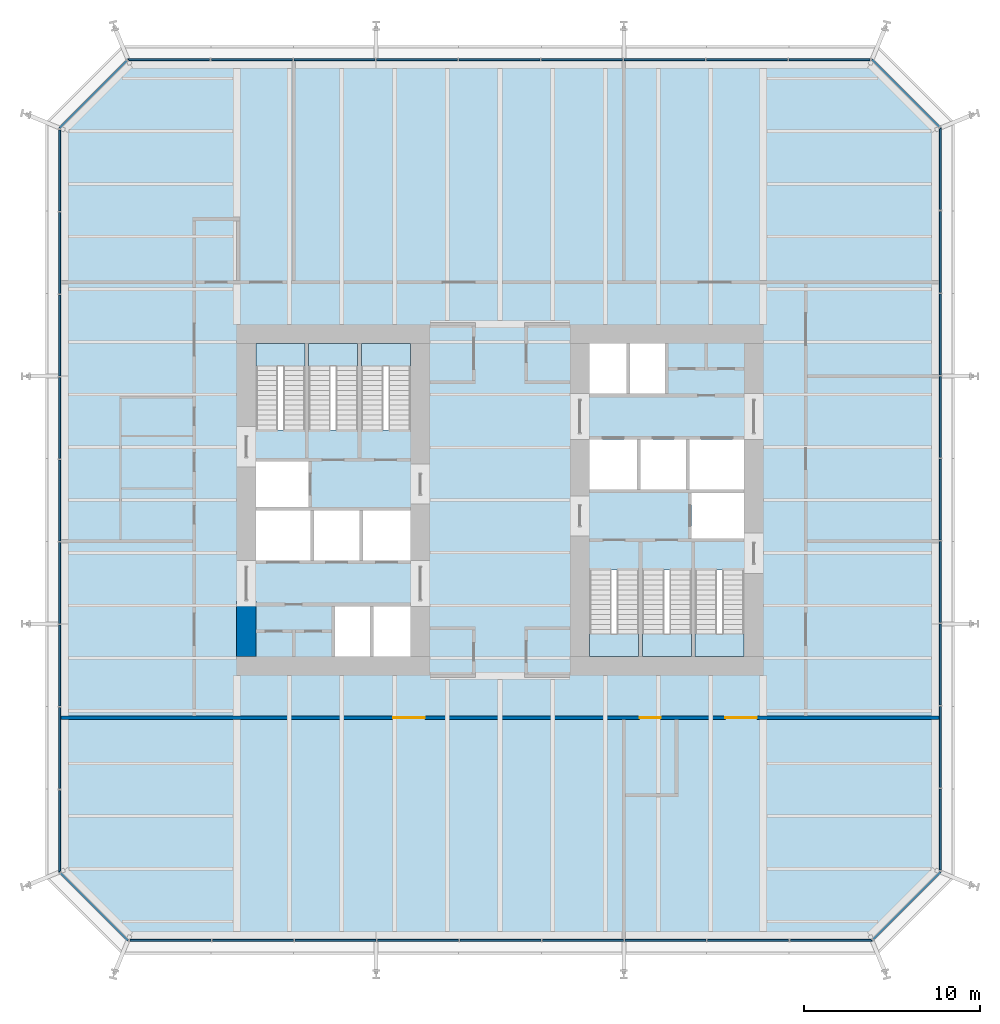
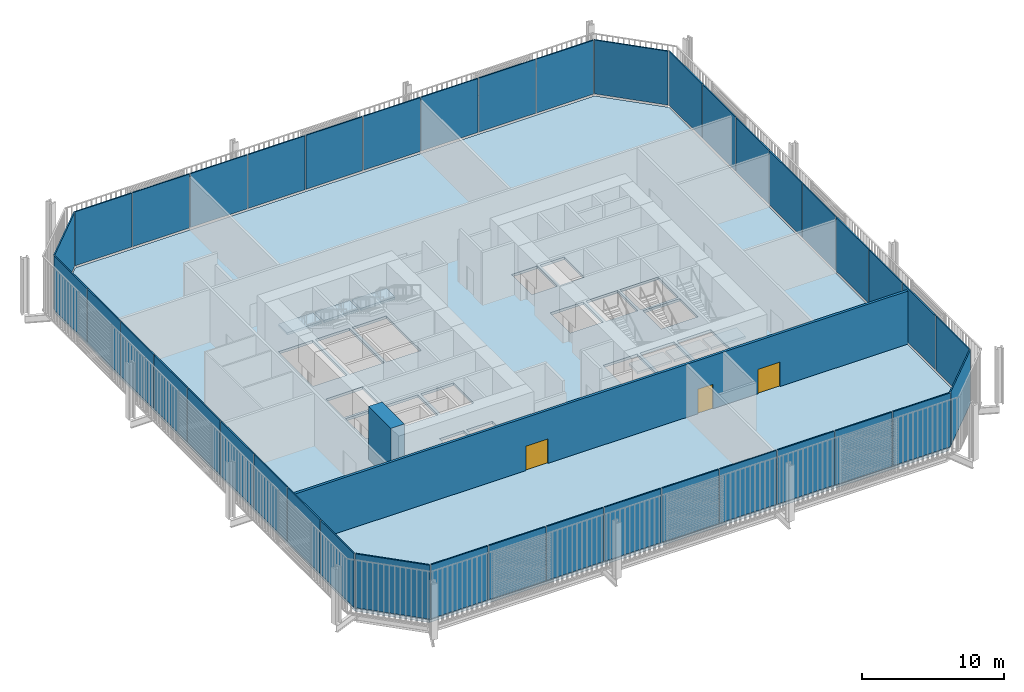
# One storey, part 17 of 22: 40 plates, 7 slabs, 3 doors, 2 walls, 3 openings, 14 elements without a shape of their own.
"""IFC4 building model written with IfcOpenShell, lengths in metres."""

from ifc_helpers import new_model, si_unit, direction, frame, frame_2d, origin, place, context, subcontext, project, spatial, polyline, rectangle, outline, extrude, material, layer, layer_set, type_object, element, fill, aggregate, save


model = new_model("IFC4")

# Units and contexts
model_context = context("Model", 3, precision=1e-05, world=origin(), true_north=direction((0.0, 1.0)))
body_context = subcontext(model_context, "Body", "Model", "MODEL_VIEW")
ifc_project = project(units=[si_unit("LENGTHUNIT", "METRE"), si_unit("AREAUNIT", "SQUARE_METRE"), si_unit("VOLUMEUNIT", "CUBIC_METRE"), si_unit("PLANEANGLEUNIT", "RADIAN"), si_unit("MASSUNIT", "GRAM", prefix="KILO")], contexts=[model_context])

# Site, building, storey
site_placement = place(None, origin())
site = spatial("IfcSite", under=ifc_project, at=site_placement, CompositionType="ELEMENT")
building_placement = place(site_placement, origin())
building = spatial("IfcBuilding", under=site, at=building_placement, Name="Millrace Tower", CompositionType="ELEMENT")
storey_placement = place(building_placement, frame((0.0, 0.0, 49.699951171875)))
storey = spatial("IfcBuildingStorey", under=building, at=storey_placement, Name="L11", CompositionType="ELEMENT", Elevation=49.699951171875)

# Curtain wall, plate
ifc_material_1 = material(Name="Aluminium and glass", Category="aluminium")
ifc_layer_1 = layer(ifc_material_1, 0.14990234375)
ifc_layer_set_1 = layer_set([ifc_layer_1], Name="Aluminium and glass")
curtain_wall_type = type_object("IfcCurtainWallType", Name="CW-2 data hall insulated curtain wall", PredefinedType="NOTDEFINED", material=ifc_layer_set_1)
placement_1 = place(storey_placement, origin())
curtain_wall_1 = element("IfcCurtainWall", 1, at=placement_1, inside=storey, type_object=curtain_wall_type, Name="Curtain wall A-F01 L11", PredefinedType="NOTDEFINED")
ifc_material_2 = material(Name="Glass", Category="glass")
ifc_layer_2 = layer(ifc_material_2, 0.10009765625)
ifc_layer_set_2 = layer_set([ifc_layer_2], Name="Glass")
plate_type = type_object("IfcPlateType", Name="CW-2 data hall insulated curtain wall insulated cassette with vision slot", PredefinedType="CURTAIN_PANEL", material=ifc_layer_set_2)
placement_2 = place(storey_placement, frame((0.0, 0.0, 0.16015625)))
plate_1 = element("IfcPlate", 2, at=placement_2, type_object=plate_type, Name="CW2 panel A-F01.1", PredefinedType="CURTAIN_PANEL", context=body_context, shape_type="SweptSolid", body=[
    extrude(outline(polyline([(-25.04248046875, -21.284423828125), (-21.20166015625, -25.125), (-21.160400390625, -25.02490234375), (-24.9716796875, -21.213623046875), (-25.04248046875, -21.284423828125)])), origin(), (0.0, 0.0, 1.0), 4.639892578125),
])
aggregate(curtain_wall_1, [plate_1])

# Curtain wall, plates
curtain_wall_2 = element("IfcCurtainWall", 3, at=placement_1, inside=storey, type_object=curtain_wall_type, Name="Curtain wall A-F02 L11", PredefinedType="NOTDEFINED")
plate_2 = element("IfcPlate", 4, at=placement_2, type_object=plate_type, Name="CW2 panel A-F02.1", PredefinedType="CURTAIN_PANEL", context=body_context, shape_type="SweptSolid", body=[
    extrude(outline(polyline([(-21.0849609375, -25.125), (-16.449951171875, -25.125), (-16.449951171875, -25.02490234375), (-21.0849609375, -25.02490234375), (-21.0849609375, -25.125)])), origin(), (0.0, 0.0, 1.0), 4.639892578125),
])
plate_3 = element("IfcPlate", 5, at=placement_2, type_object=plate_type, Name="CW2 panel A-F02.2", PredefinedType="CURTAIN_PANEL", context=body_context, shape_type="SweptSolid", body=[
    extrude(outline(polyline([(-16.385009765625, -25.125), (-11.75, -25.125), (-11.75, -25.02490234375), (-16.385009765625, -25.02490234375), (-16.385009765625, -25.125)])), origin(), (0.0, 0.0, 1.0), 4.639892578125),
])
plate_4 = element("IfcPlate", 6, at=placement_2, type_object=plate_type, Name="CW2 panel A-F02.3", PredefinedType="CURTAIN_PANEL", context=body_context, shape_type="SweptSolid", body=[
    extrude(outline(polyline([(-11.68505859375, -25.125), (-7.050048828125, -25.125), (-7.050048828125, -25.02490234375), (-11.68505859375, -25.02490234375), (-11.68505859375, -25.125)])), origin(), (0.0, 0.0, 1.0), 4.639892578125),
])
plate_5 = element("IfcPlate", 7, at=placement_2, type_object=plate_type, Name="CW2 panel A-F02.4", PredefinedType="CURTAIN_PANEL", context=body_context, shape_type="SweptSolid", body=[
    extrude(outline(polyline([(-6.985107421875, -25.125), (-2.35009765625, -25.125), (-2.35009765625, -25.02490234375), (-6.985107421875, -25.02490234375), (-6.985107421875, -25.125)])), origin(), (0.0, 0.0, 1.0), 4.639892578125),
])
plate_6 = element("IfcPlate", 8, at=placement_2, type_object=plate_type, Name="CW2 panel A-F02.5", PredefinedType="CURTAIN_PANEL", context=body_context, shape_type="SweptSolid", body=[
    extrude(outline(polyline([(-2.284912109375, -25.125), (2.35009765625, -25.125), (2.35009765625, -25.02490234375), (-2.284912109375, -25.02490234375), (-2.284912109375, -25.125)])), origin(), (0.0, 0.0, 1.0), 4.639892578125),
])
plate_7 = element("IfcPlate", 9, at=placement_2, type_object=plate_type, Name="CW2 panel A-F02.6", PredefinedType="CURTAIN_PANEL", context=body_context, shape_type="SweptSolid", body=[
    extrude(outline(polyline([(2.4150390625, -25.125), (7.050048828125, -25.125), (7.050048828125, -25.02490234375), (2.4150390625, -25.02490234375), (2.4150390625, -25.125)])), origin(), (0.0, 0.0, 1.0), 4.639892578125),
])
plate_8 = element("IfcPlate", 10, at=placement_2, type_object=plate_type, Name="CW2 panel A-F02.7", PredefinedType="CURTAIN_PANEL", context=body_context, shape_type="SweptSolid", body=[
    extrude(outline(polyline([(7.114990234375, -25.125), (11.75, -25.125), (11.75, -25.02490234375), (7.114990234375, -25.02490234375), (7.114990234375, -25.125)])), origin(), (0.0, 0.0, 1.0), 4.639892578125),
])
plate_9 = element("IfcPlate", 11, at=placement_2, type_object=plate_type, Name="CW2 panel A-F02.8", PredefinedType="CURTAIN_PANEL", context=body_context, shape_type="SweptSolid", body=[
    extrude(outline(polyline([(11.81494140625, -25.125), (16.449951171875, -25.125), (16.449951171875, -25.02490234375), (11.81494140625, -25.02490234375), (11.81494140625, -25.125)])), origin(), (0.0, 0.0, 1.0), 4.639892578125),
])
plate_10 = element("IfcPlate", 12, at=placement_2, type_object=plate_type, Name="CW2 panel A-F02.9", PredefinedType="CURTAIN_PANEL", context=body_context, shape_type="SweptSolid", body=[
    extrude(outline(polyline([(16.514892578125, -25.125), (21.20166015625, -25.125), (21.160400390625, -25.02490234375), (16.514892578125, -25.02490234375), (16.514892578125, -25.125)])), origin(), (0.0, 0.0, 1.0), 4.639892578125),
])
aggregate(curtain_wall_2, [plate_2, plate_3, plate_4, plate_5, plate_6, plate_7, plate_8, plate_9, plate_10])

# Curtain wall, plate
curtain_wall_3 = element("IfcCurtainWall", 13, at=placement_1, inside=storey, type_object=curtain_wall_type, Name="Curtain wall A-F03 L11", PredefinedType="NOTDEFINED")
plate_11 = element("IfcPlate", 14, at=placement_2, type_object=plate_type, Name="CW2 panel A-F03.1", PredefinedType="CURTAIN_PANEL", context=body_context, shape_type="SweptSolid", body=[
    extrude(outline(polyline([(21.284423828125, -25.04248046875), (25.125, -21.20166015625), (25.02490234375, -21.160400390625), (21.213623046875, -24.9716796875), (21.284423828125, -25.04248046875)])), origin(), (0.0, 0.0, 1.0), 4.639892578125),
])
aggregate(curtain_wall_3, [plate_11])

# Curtain wall, plates
curtain_wall_4 = element("IfcCurtainWall", 15, at=placement_1, inside=storey, type_object=curtain_wall_type, Name="Curtain wall A-F04 L11", PredefinedType="NOTDEFINED")
plate_12 = element("IfcPlate", 16, at=placement_2, type_object=plate_type, Name="CW2 panel A-F04.1", PredefinedType="CURTAIN_PANEL", context=body_context, shape_type="SweptSolid", body=[
    extrude(outline(polyline([(25.125, -21.0849609375), (25.125, -16.449951171875), (25.02490234375, -16.449951171875), (25.02490234375, -21.0849609375), (25.125, -21.0849609375)])), origin(), (0.0, 0.0, 1.0), 4.639892578125),
])
plate_13 = element("IfcPlate", 17, at=placement_2, type_object=plate_type, Name="CW2 panel A-F04.2", PredefinedType="CURTAIN_PANEL", context=body_context, shape_type="SweptSolid", body=[
    extrude(outline(polyline([(25.125, -16.385009765625), (25.125, -11.75), (25.02490234375, -11.75), (25.02490234375, -16.385009765625), (25.125, -16.385009765625)])), origin(), (0.0, 0.0, 1.0), 4.639892578125),
])
plate_14 = element("IfcPlate", 18, at=placement_2, type_object=plate_type, Name="CW2 panel A-F04.3", PredefinedType="CURTAIN_PANEL", context=body_context, shape_type="SweptSolid", body=[
    extrude(outline(polyline([(25.125, -11.68505859375), (25.125, -7.050048828125), (25.02490234375, -7.050048828125), (25.02490234375, -11.68505859375), (25.125, -11.68505859375)])), origin(), (0.0, 0.0, 1.0), 4.639892578125),
])
plate_15 = element("IfcPlate", 19, at=placement_2, type_object=plate_type, Name="CW2 panel A-F04.4", PredefinedType="CURTAIN_PANEL", context=body_context, shape_type="SweptSolid", body=[
    extrude(outline(polyline([(25.125, -6.985107421875), (25.125, -2.35009765625), (25.02490234375, -2.35009765625), (25.02490234375, -6.985107421875), (25.125, -6.985107421875)])), origin(), (0.0, 0.0, 1.0), 4.639892578125),
])
plate_16 = element("IfcPlate", 20, at=placement_2, type_object=plate_type, Name="CW2 panel A-F04.5", PredefinedType="CURTAIN_PANEL", context=body_context, shape_type="SweptSolid", body=[
    extrude(outline(polyline([(25.125, -2.284912109375), (25.125, 2.35009765625), (25.02490234375, 2.35009765625), (25.02490234375, -2.284912109375), (25.125, -2.284912109375)])), origin(), (0.0, 0.0, 1.0), 4.639892578125),
])
plate_17 = element("IfcPlate", 21, at=placement_2, type_object=plate_type, Name="CW2 panel A-F04.6", PredefinedType="CURTAIN_PANEL", context=body_context, shape_type="SweptSolid", body=[
    extrude(outline(polyline([(25.125, 2.4150390625), (25.125, 7.050048828125), (25.02490234375, 7.050048828125), (25.02490234375, 2.4150390625), (25.125, 2.4150390625)])), origin(), (0.0, 0.0, 1.0), 4.639892578125),
])
plate_18 = element("IfcPlate", 22, at=placement_2, type_object=plate_type, Name="CW2 panel A-F04.7", PredefinedType="CURTAIN_PANEL", context=body_context, shape_type="SweptSolid", body=[
    extrude(outline(polyline([(25.125, 7.114990234375), (25.125, 11.75), (25.02490234375, 11.75), (25.02490234375, 7.114990234375), (25.125, 7.114990234375)])), origin(), (0.0, 0.0, 1.0), 4.639892578125),
])
plate_19 = element("IfcPlate", 23, at=placement_2, type_object=plate_type, Name="CW2 panel A-F04.8", PredefinedType="CURTAIN_PANEL", context=body_context, shape_type="SweptSolid", body=[
    extrude(outline(polyline([(25.125, 11.81494140625), (25.125, 16.449951171875), (25.02490234375, 16.449951171875), (25.02490234375, 11.81494140625), (25.125, 11.81494140625)])), origin(), (0.0, 0.0, 1.0), 4.639892578125),
])
plate_20 = element("IfcPlate", 24, at=placement_2, type_object=plate_type, Name="CW2 panel A-F04.9", PredefinedType="CURTAIN_PANEL", context=body_context, shape_type="SweptSolid", body=[
    extrude(outline(polyline([(25.125, 16.514892578125), (25.125, 21.20166015625), (25.02490234375, 21.160400390625), (25.02490234375, 16.514892578125), (25.125, 16.514892578125)])), origin(), (0.0, 0.0, 1.0), 4.639892578125),
])
aggregate(curtain_wall_4, [plate_12, plate_13, plate_14, plate_15, plate_16, plate_17, plate_18, plate_19, plate_20])

# Curtain wall, plate
curtain_wall_5 = element("IfcCurtainWall", 25, at=placement_1, inside=storey, type_object=curtain_wall_type, Name="Curtain wall A-F05 L11", PredefinedType="NOTDEFINED")
plate_21 = element("IfcPlate", 26, at=placement_2, type_object=plate_type, Name="CW2 panel A-F05.1", PredefinedType="CURTAIN_PANEL", context=body_context, shape_type="SweptSolid", body=[
    extrude(outline(polyline([(25.04248046875, 21.284423828125), (21.20166015625, 25.125), (21.160400390625, 25.02490234375), (24.9716796875, 21.213623046875), (25.04248046875, 21.284423828125)])), origin(), (0.0, 0.0, 1.0), 4.639892578125),
])
aggregate(curtain_wall_5, [plate_21])

# Curtain wall, plates
curtain_wall_6 = element("IfcCurtainWall", 27, at=placement_1, inside=storey, type_object=curtain_wall_type, Name="Curtain wall A-F06 L11", PredefinedType="NOTDEFINED")
plate_22 = element("IfcPlate", 28, at=placement_2, type_object=plate_type, Name="CW2 panel A-F06.1", PredefinedType="CURTAIN_PANEL", context=body_context, shape_type="SweptSolid", body=[
    extrude(outline(polyline([(21.0849609375, 25.125), (16.449951171875, 25.125), (16.449951171875, 25.02490234375), (21.0849609375, 25.02490234375), (21.0849609375, 25.125)])), origin(), (0.0, 0.0, 1.0), 4.639892578125),
])
plate_23 = element("IfcPlate", 29, at=placement_2, type_object=plate_type, Name="CW2 panel A-F06.2", PredefinedType="CURTAIN_PANEL", context=body_context, shape_type="SweptSolid", body=[
    extrude(outline(polyline([(16.385009765625, 25.125), (11.75, 25.125), (11.75, 25.02490234375), (16.385009765625, 25.02490234375), (16.385009765625, 25.125)])), origin(), (0.0, 0.0, 1.0), 4.639892578125),
])
plate_24 = element("IfcPlate", 30, at=placement_2, type_object=plate_type, Name="CW2 panel A-F06.3", PredefinedType="CURTAIN_PANEL", context=body_context, shape_type="SweptSolid", body=[
    extrude(outline(polyline([(11.68505859375, 25.125), (7.050048828125, 25.125), (7.050048828125, 25.02490234375), (11.68505859375, 25.02490234375), (11.68505859375, 25.125)])), origin(), (0.0, 0.0, 1.0), 4.639892578125),
])
plate_25 = element("IfcPlate", 31, at=placement_2, type_object=plate_type, Name="CW2 panel A-F06.4", PredefinedType="CURTAIN_PANEL", context=body_context, shape_type="SweptSolid", body=[
    extrude(outline(polyline([(6.985107421875, 25.125), (2.35009765625, 25.125), (2.35009765625, 25.02490234375), (6.985107421875, 25.02490234375), (6.985107421875, 25.125)])), origin(), (0.0, 0.0, 1.0), 4.639892578125),
])
plate_26 = element("IfcPlate", 32, at=placement_2, type_object=plate_type, Name="CW2 panel A-F06.5", PredefinedType="CURTAIN_PANEL", context=body_context, shape_type="SweptSolid", body=[
    extrude(outline(polyline([(2.284912109375, 25.125), (-2.35009765625, 25.125), (-2.35009765625, 25.02490234375), (2.284912109375, 25.02490234375), (2.284912109375, 25.125)])), origin(), (0.0, 0.0, 1.0), 4.639892578125),
])
plate_27 = element("IfcPlate", 33, at=placement_2, type_object=plate_type, Name="CW2 panel A-F06.6", PredefinedType="CURTAIN_PANEL", context=body_context, shape_type="SweptSolid", body=[
    extrude(outline(polyline([(-2.4150390625, 25.125), (-7.050048828125, 25.125), (-7.050048828125, 25.02490234375), (-2.4150390625, 25.02490234375), (-2.4150390625, 25.125)])), origin(), (0.0, 0.0, 1.0), 4.639892578125),
])
plate_28 = element("IfcPlate", 34, at=placement_2, type_object=plate_type, Name="CW2 panel A-F06.7", PredefinedType="CURTAIN_PANEL", context=body_context, shape_type="SweptSolid", body=[
    extrude(outline(polyline([(-7.114990234375, 25.125), (-11.75, 25.125), (-11.75, 25.02490234375), (-7.114990234375, 25.02490234375), (-7.114990234375, 25.125)])), origin(), (0.0, 0.0, 1.0), 4.639892578125),
])
plate_29 = element("IfcPlate", 35, at=placement_2, type_object=plate_type, Name="CW2 panel A-F06.8", PredefinedType="CURTAIN_PANEL", context=body_context, shape_type="SweptSolid", body=[
    extrude(outline(polyline([(-11.81494140625, 25.125), (-16.449951171875, 25.125), (-16.449951171875, 25.02490234375), (-11.81494140625, 25.02490234375), (-11.81494140625, 25.125)])), origin(), (0.0, 0.0, 1.0), 4.639892578125),
])
plate_30 = element("IfcPlate", 36, at=placement_2, type_object=plate_type, Name="CW2 panel A-F06.9", PredefinedType="CURTAIN_PANEL", context=body_context, shape_type="SweptSolid", body=[
    extrude(outline(polyline([(-16.514892578125, 25.125), (-21.20166015625, 25.125), (-21.160400390625, 25.02490234375), (-16.514892578125, 25.02490234375), (-16.514892578125, 25.125)])), origin(), (0.0, 0.0, 1.0), 4.639892578125),
])
aggregate(curtain_wall_6, [plate_22, plate_23, plate_24, plate_25, plate_26, plate_27, plate_28, plate_29, plate_30])

# Curtain wall, plate
curtain_wall_7 = element("IfcCurtainWall", 37, at=placement_1, inside=storey, type_object=curtain_wall_type, Name="Curtain wall A-F07 L11", PredefinedType="NOTDEFINED")
plate_31 = element("IfcPlate", 38, at=placement_2, type_object=plate_type, Name="CW2 panel A-F07.1", PredefinedType="CURTAIN_PANEL", context=body_context, shape_type="SweptSolid", body=[
    extrude(outline(polyline([(-21.284423828125, 25.04248046875), (-25.125, 21.20166015625), (-25.02490234375, 21.160400390625), (-21.213623046875, 24.9716796875), (-21.284423828125, 25.04248046875)])), origin(), (0.0, 0.0, 1.0), 4.639892578125),
])
aggregate(curtain_wall_7, [plate_31])

# Curtain wall, plates
curtain_wall_8 = element("IfcCurtainWall", 39, at=placement_1, inside=storey, type_object=curtain_wall_type, Name="Curtain wall A-F08 L11", PredefinedType="NOTDEFINED")
plate_32 = element("IfcPlate", 40, at=placement_2, type_object=plate_type, Name="CW2 panel A-F08.1", PredefinedType="CURTAIN_PANEL", context=body_context, shape_type="SweptSolid", body=[
    extrude(outline(polyline([(-25.125, 21.0849609375), (-25.125, 16.449951171875), (-25.02490234375, 16.449951171875), (-25.02490234375, 21.0849609375), (-25.125, 21.0849609375)])), origin(), (0.0, 0.0, 1.0), 4.639892578125),
])
plate_33 = element("IfcPlate", 41, at=placement_2, type_object=plate_type, Name="CW2 panel A-F08.2", PredefinedType="CURTAIN_PANEL", context=body_context, shape_type="SweptSolid", body=[
    extrude(outline(polyline([(-25.125, 16.385009765625), (-25.125, 11.75), (-25.02490234375, 11.75), (-25.02490234375, 16.385009765625), (-25.125, 16.385009765625)])), origin(), (0.0, 0.0, 1.0), 4.639892578125),
])
plate_34 = element("IfcPlate", 42, at=placement_2, type_object=plate_type, Name="CW2 panel A-F08.3", PredefinedType="CURTAIN_PANEL", context=body_context, shape_type="SweptSolid", body=[
    extrude(outline(polyline([(-25.125, 11.68505859375), (-25.125, 7.050048828125), (-25.02490234375, 7.050048828125), (-25.02490234375, 11.68505859375), (-25.125, 11.68505859375)])), origin(), (0.0, 0.0, 1.0), 4.639892578125),
])
plate_35 = element("IfcPlate", 43, at=placement_2, type_object=plate_type, Name="CW2 panel A-F08.4", PredefinedType="CURTAIN_PANEL", context=body_context, shape_type="SweptSolid", body=[
    extrude(outline(polyline([(-25.125, 6.985107421875), (-25.125, 2.35009765625), (-25.02490234375, 2.35009765625), (-25.02490234375, 6.985107421875), (-25.125, 6.985107421875)])), origin(), (0.0, 0.0, 1.0), 4.639892578125),
])
plate_36 = element("IfcPlate", 44, at=placement_2, type_object=plate_type, Name="CW2 panel A-F08.5", PredefinedType="CURTAIN_PANEL", context=body_context, shape_type="SweptSolid", body=[
    extrude(outline(polyline([(-25.125, 2.284912109375), (-25.125, -2.35009765625), (-25.02490234375, -2.35009765625), (-25.02490234375, 2.284912109375), (-25.125, 2.284912109375)])), origin(), (0.0, 0.0, 1.0), 4.639892578125),
])
plate_37 = element("IfcPlate", 45, at=placement_2, type_object=plate_type, Name="CW2 panel A-F08.6", PredefinedType="CURTAIN_PANEL", context=body_context, shape_type="SweptSolid", body=[
    extrude(outline(polyline([(-25.125, -2.4150390625), (-25.125, -7.050048828125), (-25.02490234375, -7.050048828125), (-25.02490234375, -2.4150390625), (-25.125, -2.4150390625)])), origin(), (0.0, 0.0, 1.0), 4.639892578125),
])
plate_38 = element("IfcPlate", 46, at=placement_2, type_object=plate_type, Name="CW2 panel A-F08.7", PredefinedType="CURTAIN_PANEL", context=body_context, shape_type="SweptSolid", body=[
    extrude(outline(polyline([(-25.125, -7.114990234375), (-25.125, -11.75), (-25.02490234375, -11.75), (-25.02490234375, -7.114990234375), (-25.125, -7.114990234375)])), origin(), (0.0, 0.0, 1.0), 4.639892578125),
])
plate_39 = element("IfcPlate", 47, at=placement_2, type_object=plate_type, Name="CW2 panel A-F08.8", PredefinedType="CURTAIN_PANEL", context=body_context, shape_type="SweptSolid", body=[
    extrude(outline(polyline([(-25.125, -11.81494140625), (-25.125, -16.449951171875), (-25.02490234375, -16.449951171875), (-25.02490234375, -11.81494140625), (-25.125, -11.81494140625)])), origin(), (0.0, 0.0, 1.0), 4.639892578125),
])
plate_40 = element("IfcPlate", 48, at=placement_2, type_object=plate_type, Name="CW2 panel A-F08.9", PredefinedType="CURTAIN_PANEL", context=body_context, shape_type="SweptSolid", body=[
    extrude(outline(polyline([(-25.125, -16.514892578125), (-25.125, -21.20166015625), (-25.02490234375, -21.160400390625), (-25.02490234375, -16.514892578125), (-25.125, -16.514892578125)])), origin(), (0.0, 0.0, 1.0), 4.639892578125),
])
aggregate(curtain_wall_8, [plate_32, plate_33, plate_34, plate_35, plate_36, plate_37, plate_38, plate_39, plate_40])

# Slab
ifc_material_3 = material(Name="Concrete C35 on steel deck", Category="concrete")
ifc_layer_3 = layer(ifc_material_3, 0.22509765625)
ifc_layer_set_3 = layer_set([ifc_layer_3], Name="Concrete C35 on steel deck")
slab_type_1 = type_object("IfcSlabType", Name="Composite floor slab 225 mm", PredefinedType="FLOOR", material=ifc_layer_set_3)
slab_1_placement = place(storey_placement, frame((0.0, 0.0, -0.224853515625)))
element("IfcSlab", 49, at=slab_1_placement, inside=storey, type_object=slab_type_1, Name="SL-A-L11-S1", PredefinedType="FLOOR", context=body_context, shape_type="SweptSolid", body=[
    extrude(outline(polyline([(-25.0, -21.14990234375), (-21.14990234375, -25.0), (21.14990234375, -25.0), (25.0, -21.14990234375), (25.0, 21.14990234375), (21.14990234375, 25.0), (-21.14990234375, 25.0), (-25.0, 21.14990234375), (-25.0, -21.14990234375)]), holes=[polyline([(-9.39990234375, -8.89990234375), (-7.39990234375, -8.89990234375), (-7.39990234375, -6.050048828125), (-9.39990234375, -6.050048828125), (-9.39990234375, -8.89990234375)]), polyline([(-7.199951171875, -8.89990234375), (-5.10009765625, -8.89990234375), (-5.10009765625, -6.050048828125), (-7.199951171875, -6.050048828125), (-7.199951171875, -8.89990234375)]), polyline([(-13.89990234375, -3.449951171875), (-10.800048828125, -3.449951171875), (-10.800048828125, -0.60009765625), (-13.89990234375, -0.60009765625), (-13.89990234375, -3.449951171875)]), polyline([(-10.60009765625, -3.449951171875), (-8.0, -3.449951171875), (-8.0, -0.60009765625), (-10.60009765625, -0.60009765625), (-10.60009765625, -3.449951171875)]), polyline([(-7.800048828125, -3.449951171875), (-5.10009765625, -3.449951171875), (-5.10009765625, -0.60009765625), (-7.800048828125, -0.60009765625), (-7.800048828125, -3.449951171875)]), polyline([(-13.89990234375, -0.39990234375), (-10.89990234375, -0.39990234375), (-10.89990234375, 2.179931640625), (-13.89990234375, 2.179931640625), (-13.89990234375, -0.39990234375)]), polyline([(-13.89990234375, 4.0), (-11.10009765625, 4.0), (-11.10009765625, 8.89990234375), (-13.89990234375, 8.89990234375), (-13.89990234375, 4.0)]), polyline([(-10.89990234375, 4.0), (-8.10009765625, 4.0), (-8.10009765625, 8.89990234375), (-10.89990234375, 8.89990234375), (-10.89990234375, 4.0)]), polyline([(-7.89990234375, 4.0), (-5.10009765625, 4.0), (-5.10009765625, 8.89990234375), (-7.89990234375, 8.89990234375), (-7.89990234375, 4.0)]), polyline([(7.39990234375, 6.050048828125), (9.39990234375, 6.050048828125), (9.39990234375, 8.89990234375), (7.39990234375, 8.89990234375), (7.39990234375, 6.050048828125)]), polyline([(5.10009765625, 6.050048828125), (7.199951171875, 6.050048828125), (7.199951171875, 8.89990234375), (5.10009765625, 8.89990234375), (5.10009765625, 6.050048828125)]), polyline([(10.800048828125, 0.60009765625), (13.89990234375, 0.60009765625), (13.89990234375, 3.449951171875), (10.800048828125, 3.449951171875), (10.800048828125, 0.60009765625)]), polyline([(8.0, 0.60009765625), (10.60009765625, 0.60009765625), (10.60009765625, 3.449951171875), (8.0, 3.449951171875), (8.0, 0.60009765625)]), polyline([(5.10009765625, 0.60009765625), (7.800048828125, 0.60009765625), (7.800048828125, 3.449951171875), (5.10009765625, 3.449951171875), (5.10009765625, 0.60009765625)]), polyline([(10.89990234375, -2.179931640625), (13.89990234375, -2.179931640625), (13.89990234375, 0.39990234375), (10.89990234375, 0.39990234375), (10.89990234375, -2.179931640625)]), polyline([(11.10009765625, -8.89990234375), (13.89990234375, -8.89990234375), (13.89990234375, -4.0), (11.10009765625, -4.0), (11.10009765625, -8.89990234375)]), polyline([(8.10009765625, -8.89990234375), (10.89990234375, -8.89990234375), (10.89990234375, -4.0), (8.10009765625, -4.0), (8.10009765625, -8.89990234375)]), polyline([(5.10009765625, -8.89990234375), (7.89990234375, -8.89990234375), (7.89990234375, -4.0), (5.10009765625, -4.0), (5.10009765625, -8.89990234375)])]), origin(), (0.0, 0.0, 1.0), 0.224853515625),
])

# Stair, slab
ifc_material_4 = material(Name="Concrete C35", Category="concrete")
stair_type = type_object("IfcStairType", Name="Exit stair", PredefinedType="HALF_TURN_STAIR", material=ifc_material_4)
stair_1 = element("IfcStair", 50, at=placement_1, inside=storey, type_object=stair_type, Name="Stair 1 W L11", PredefinedType="HALF_TURN_STAIR")
ifc_material_5 = material(Name="Concrete C40", Category="concrete")
ifc_layer_4 = layer(ifc_material_5, 0.199951171875)
ifc_layer_set_4 = layer_set([ifc_layer_4], Name="Concrete C40")
slab_type_2 = type_object("IfcSlabType", Name="Stair landing", PredefinedType="LANDING", material=ifc_layer_set_4)
placement_3 = place(storey_placement, frame((0.0, 0.0, 2.199951171875)))
slab_2 = element("IfcSlab", 51, at=placement_3, type_object=slab_type_2, Name="ST12 landing 1", PredefinedType="LANDING", context=body_context, shape_type="SweptSolid", body=[
    extrude(outline(polyline([(-13.89990234375, 7.639892578125), (-11.10009765625, 7.639892578125), (-11.10009765625, 8.89990234375), (-13.89990234375, 8.89990234375), (-13.89990234375, 7.639892578125)])), origin(), (0.0, 0.0, 1.0), 0.2001953125),
])
aggregate(stair_1, [slab_2])

stair_2 = element("IfcStair", 52, at=placement_1, inside=storey, type_object=stair_type, Name="Stair 2 W L11", PredefinedType="HALF_TURN_STAIR")
slab_3 = element("IfcSlab", 53, at=placement_3, type_object=slab_type_2, Name="ST12 landing 1", PredefinedType="LANDING", context=body_context, shape_type="SweptSolid", body=[
    extrude(outline(polyline([(-10.89990234375, 7.639892578125), (-8.10009765625, 7.639892578125), (-8.10009765625, 8.89990234375), (-10.89990234375, 8.89990234375), (-10.89990234375, 7.639892578125)])), origin(), (0.0, 0.0, 1.0), 0.2001953125),
])
aggregate(stair_2, [slab_3])

stair_3 = element("IfcStair", 54, at=placement_1, inside=storey, type_object=stair_type, Name="Stair 3 W L11", PredefinedType="HALF_TURN_STAIR")
slab_4 = element("IfcSlab", 55, at=placement_3, type_object=slab_type_2, Name="ST12 landing 1", PredefinedType="LANDING", context=body_context, shape_type="SweptSolid", body=[
    extrude(outline(polyline([(-7.89990234375, 7.639892578125), (-5.10009765625, 7.639892578125), (-5.10009765625, 8.89990234375), (-7.89990234375, 8.89990234375), (-7.89990234375, 7.639892578125)])), origin(), (0.0, 0.0, 1.0), 0.2001953125),
])
aggregate(stair_3, [slab_4])

stair_4 = element("IfcStair", 56, at=placement_1, inside=storey, type_object=stair_type, Name="Stair 1 E L11", PredefinedType="HALF_TURN_STAIR")
slab_5 = element("IfcSlab", 57, at=placement_3, type_object=slab_type_2, Name="ST12 landing 1", PredefinedType="LANDING", context=body_context, shape_type="SweptSolid", body=[
    extrude(outline(polyline([(11.10009765625, -8.89990234375), (13.89990234375, -8.89990234375), (13.89990234375, -7.639892578125), (11.10009765625, -7.639892578125), (11.10009765625, -8.89990234375)])), origin(), (0.0, 0.0, 1.0), 0.2001953125),
])
aggregate(stair_4, [slab_5])

stair_5 = element("IfcStair", 58, at=placement_1, inside=storey, type_object=stair_type, Name="Stair 2 E L11", PredefinedType="HALF_TURN_STAIR")
slab_6 = element("IfcSlab", 59, at=placement_3, type_object=slab_type_2, Name="ST12 landing 1", PredefinedType="LANDING", context=body_context, shape_type="SweptSolid", body=[
    extrude(outline(polyline([(8.10009765625, -8.89990234375), (10.89990234375, -8.89990234375), (10.89990234375, -7.639892578125), (8.10009765625, -7.639892578125), (8.10009765625, -8.89990234375)])), origin(), (0.0, 0.0, 1.0), 0.2001953125),
])
aggregate(stair_5, [slab_6])

stair_6 = element("IfcStair", 60, at=placement_1, inside=storey, type_object=stair_type, Name="Stair 3 E L11", PredefinedType="HALF_TURN_STAIR")
slab_7 = element("IfcSlab", 61, at=placement_3, type_object=slab_type_2, Name="ST12 landing 1", PredefinedType="LANDING", context=body_context, shape_type="SweptSolid", body=[
    extrude(outline(polyline([(5.10009765625, -8.89990234375), (7.89990234375, -8.89990234375), (7.89990234375, -7.639892578125), (5.10009765625, -7.639892578125), (5.10009765625, -8.89990234375)])), origin(), (0.0, 0.0, 1.0), 0.2001953125),
])
aggregate(stair_6, [slab_7])

# Wall
ifc_material_6 = material(Name="Concrete C80", Category="concrete")
ifc_layer_5 = layer(ifc_material_6, 1.10009765625)
ifc_layer_set_5 = layer_set([ifc_layer_5], Name="Concrete C80")
wall_type_1 = type_object("IfcWallType", Name="Core wall 1100 Concrete C80", PredefinedType="SHEAR", material=ifc_layer_set_5)
wall_1_placement = place(storey_placement, frame((-14.449951171875, -8.89990234375, 0.0), z_axis=(0.0, 0.0, 1.0), x_axis=(0.0, 1.0, 0.0)))
element("IfcWall", 62, at=wall_1_placement, inside=storey, type_object=wall_type_1, Name="Core wall W L11", PredefinedType="SHEAR", context=body_context, shape_type="SweptSolid", body=[
    extrude(rectangle(XDim=3.14990234375, YDim=1.10009765625, at=frame_2d((1.574951171875, 0.0))), origin(), (0.0, 0.0, 1.0), 4.574951171875),
])

# Wall, openings, doors
ifc_material_7 = material(Name="Masonry partition, fire-rated", Category="masonry")
ifc_layer_6 = layer(ifc_material_7, 0.199951171875)
ifc_layer_set_6 = layer_set([ifc_layer_6], Name="Masonry partition, fire-rated")
wall_type_2 = type_object("IfcWallType", Name="Corridor wall 200", PredefinedType="PARTITIONING", material=ifc_layer_set_6)
wall_2_placement = place(storey_placement, frame((-25.030029296875, -12.39990234375, 0.0), z_axis=(0.0, 0.0, 1.0), x_axis=(1.0, 0.0, 0.0)))
wall_2 = element("IfcWall", 63, at=wall_2_placement, inside=storey, type_object=wall_type_2, Name="Corridor wall L11", PredefinedType="PARTITIONING", context=body_context, shape_type="SweptSolid", body=[
    extrude(rectangle(XDim=50.06005859375, YDim=0.199951171875, at=frame_2d((25.030029296875, 0.0))), origin(), (0.0, 0.0, 1.0), 4.574951171875),
])
opening_1_placement = place(wall_2_placement, frame((18.949951171875, 0.0, 0.0)))
opening_1 = element("IfcOpeningElement", 64, at=opening_1_placement, cuts=wall_2, Name="Opening 11-P005", PredefinedType="OPENING", context=body_context, shape_type="SweptSolid", body=[
    extrude(rectangle(XDim=1.800048828125, YDim=2.10009765625, at=frame_2d((0.89990234375, 1.050048828125))), frame((0.0, 0.10986328125, 0.0), z_axis=(0.0, -1.0, 0.0), x_axis=(1.0, 0.0, 0.0)), (0.0, 0.0, 1.0), 0.219970703125),
])
opening_2_placement = place(wall_2_placement, frame((37.860107421875, 0.0, 0.0)))
opening_2 = element("IfcOpeningElement", 65, at=opening_2_placement, cuts=wall_2, Name="Opening 11-P006", PredefinedType="OPENING", context=body_context, shape_type="SweptSolid", body=[
    extrude(rectangle(XDim=1.800048828125, YDim=2.10009765625, at=frame_2d((0.89990234375, 1.050048828125))), frame((0.0, 0.10986328125, 0.0), z_axis=(0.0, -1.0, 0.0), x_axis=(1.0, 0.0, 0.0)), (0.0, 0.0, 1.0), 0.219970703125),
])
opening_3_placement = place(wall_2_placement, frame((32.97998046875, 0.0, 0.0)))
opening_3 = element("IfcOpeningElement", 66, at=opening_3_placement, cuts=wall_2, Name="Opening 11-P007", PredefinedType="OPENING", context=body_context, shape_type="SweptSolid", body=[
    extrude(rectangle(XDim=1.199951171875, YDim=2.10009765625, at=frame_2d((0.60009765625, 1.050048828125))), frame((0.0, 0.10986328125, 0.0), z_axis=(0.0, -1.0, 0.0), x_axis=(1.0, 0.0, 0.0)), (0.0, 0.0, 1.0), 0.219970703125),
])
ifc_material_8 = material(Name="Steel door set, fire-rated", Category="steel")
door_type_1 = type_object("IfcDoorType", Name="Corridor door 1200 x 2100", OperationType="SINGLE_SWING_LEFT", PredefinedType="DOOR", material=ifc_material_8)
door_1_placement = place(opening_3_placement, frame((1.199951171875, 0.0, 0.0), z_axis=(0.0, 0.0, 1.0), x_axis=(-1.0, 0.0, 0.0)))
door_1 = element("IfcDoor", 67, at=door_1_placement, inside=storey, type_object=door_type_1, Name="Door 11-P007", OperationType="SINGLE_SWING_LEFT", OverallHeight=2.10009765625, OverallWidth=1.199951171875, PredefinedType="DOOR", context=body_context, shape_type="SweptSolid", body=[
    extrude(rectangle(XDim=1.199951171875, YDim=2.10009765625, at=frame_2d((0.60009765625, 1.050048828125))), frame((0.0, 0.02490234375, 0.0), z_axis=(0.0, -1.0, 0.0), x_axis=(1.0, 0.0, 0.0)), (0.0, 0.0, 1.0), 0.050048828125),
])
fill(opening_3, door_1)
ifc_material_9 = material(Name="Steel door set, fire-rated", Category="steel")
door_type_2 = type_object("IfcDoorType", Name="Data hall door 1800 x 2100", OperationType="DOUBLE_DOOR_SINGLE_SWING", PredefinedType="DOOR", material=ifc_material_9)
door_2_placement = place(opening_1_placement, frame((1.800048828125, 0.0, 0.0), z_axis=(0.0, 0.0, 1.0), x_axis=(-1.0, 0.0, 0.0)))
door_2 = element("IfcDoor", 68, at=door_2_placement, inside=storey, type_object=door_type_2, Name="Door 11-P005", OperationType="DOUBLE_DOOR_SINGLE_SWING", OverallHeight=2.10009765625, OverallWidth=1.800048828125, PredefinedType="DOOR", context=body_context, shape_type="SweptSolid", body=[
    extrude(rectangle(XDim=1.800048828125, YDim=2.10009765625, at=frame_2d((0.89990234375, 1.050048828125))), frame((0.0, 0.02490234375, 0.0), z_axis=(0.0, -1.0, 0.0), x_axis=(1.0, 0.0, 0.0)), (0.0, 0.0, 1.0), 0.050048828125),
])
fill(opening_1, door_2)
door_3_placement = place(opening_2_placement, frame((1.800048828125, 0.0, 0.0), z_axis=(0.0, 0.0, 1.0), x_axis=(-1.0, 0.0, 0.0)))
door_3 = element("IfcDoor", 69, at=door_3_placement, inside=storey, type_object=door_type_2, Name="Door 11-P006", OperationType="DOUBLE_DOOR_SINGLE_SWING", OverallHeight=2.10009765625, OverallWidth=1.800048828125, PredefinedType="DOOR", context=body_context, shape_type="SweptSolid", body=[
    extrude(rectangle(XDim=1.800048828125, YDim=2.10009765625, at=frame_2d((0.89990234375, 1.050048828125))), frame((0.0, 0.02490234375, 0.0), z_axis=(0.0, -1.0, 0.0), x_axis=(1.0, 0.0, 0.0)), (0.0, 0.0, 1.0), 0.050048828125),
])
fill(opening_2, door_3)

save(model, "model.ifc")
